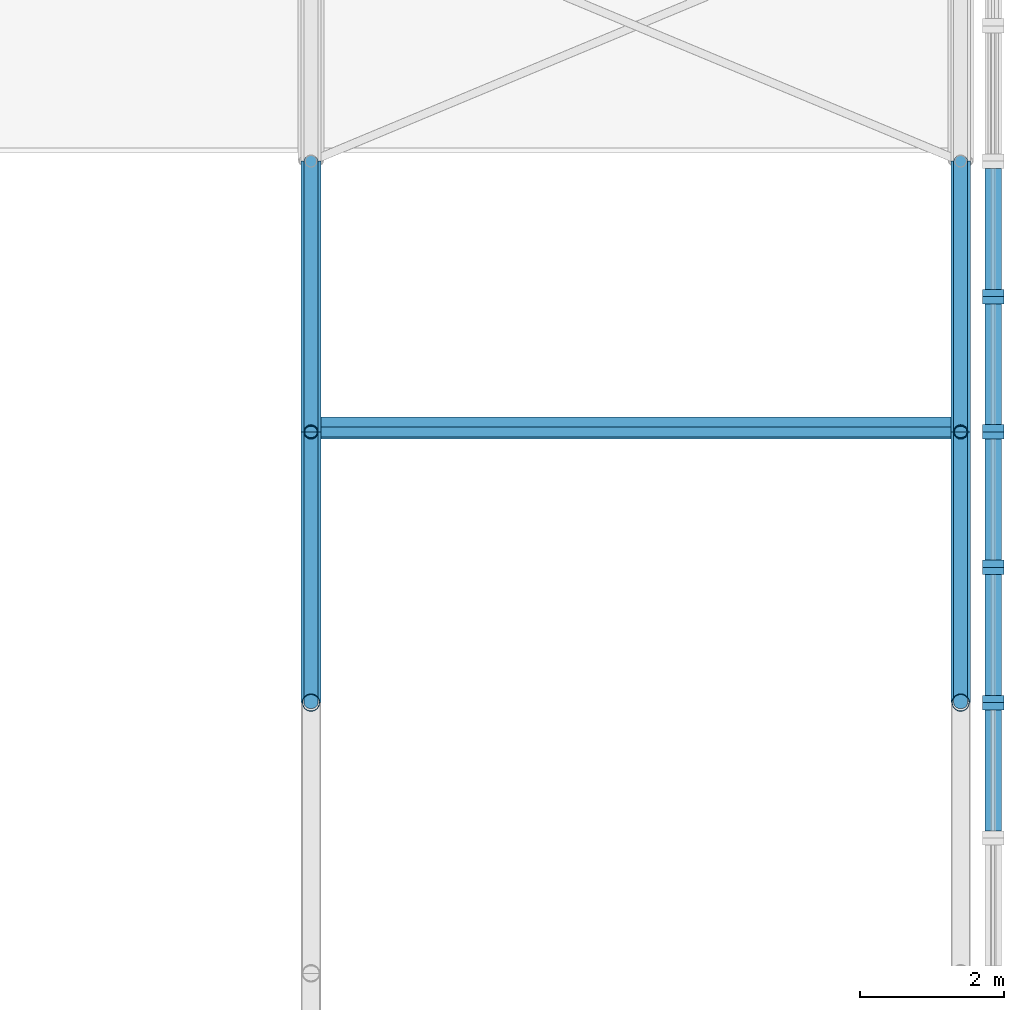
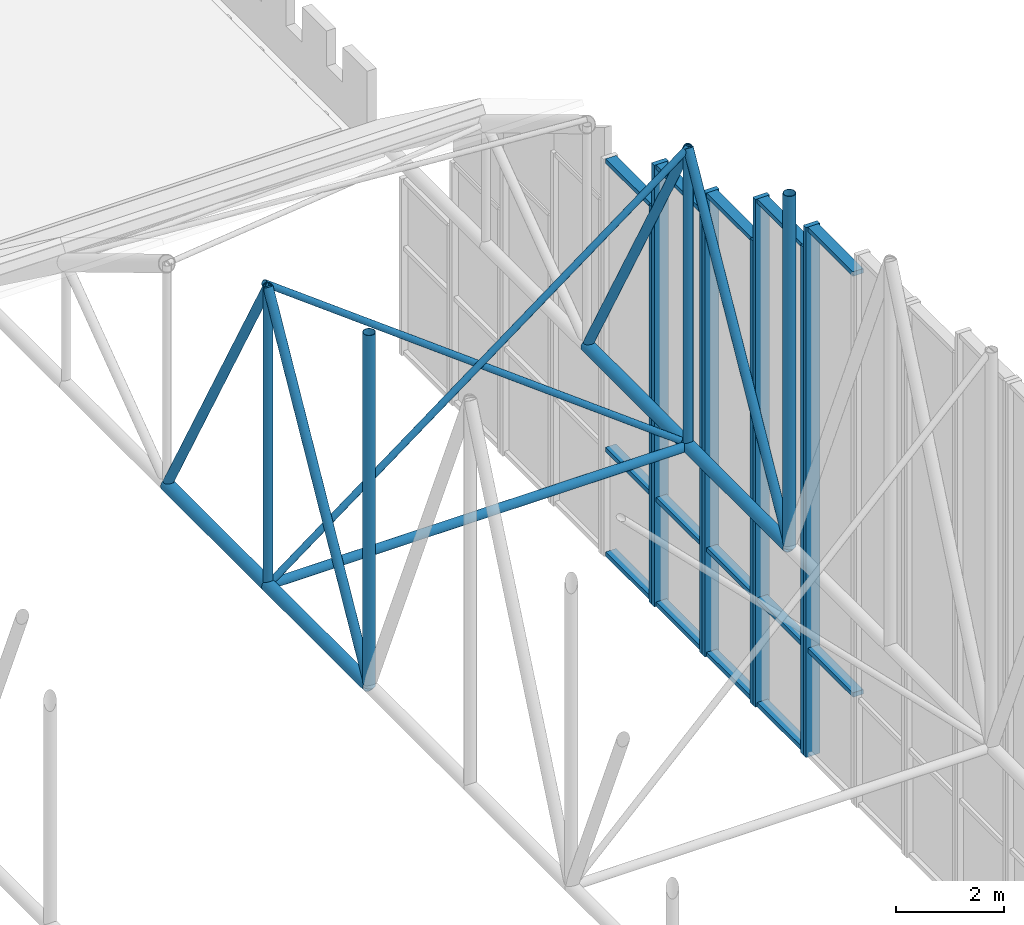
# One storey, part 65 of 153: 37 members, 5 elements without a shape of their own.
"""IFC4 building model written with IfcOpenShell, lengths in metres."""

from ifc_helpers import new_model, si_unit, direction, frame, origin, origin_2d, place, context, subcontext, project, spatial, rectangle, hollow_circle, extrude, material, material_profile, profile_set, type_object, element, aggregate, save


model = new_model("IFC4")

# Units and contexts
model_context = context("Model", 3, precision=1e-05, world=origin(), true_north=direction((0.0, 1.0)))
body_context = subcontext(model_context, "Body", "Model", "MODEL_VIEW")
ifc_project = project(units=[si_unit("LENGTHUNIT", "METRE"), si_unit("AREAUNIT", "SQUARE_METRE"), si_unit("VOLUMEUNIT", "CUBIC_METRE"), si_unit("PLANEANGLEUNIT", "RADIAN"), si_unit("MASSUNIT", "GRAM", prefix="KILO")], contexts=[model_context])

# Site, building, storey
site_placement = place(None, origin())
site = spatial("IfcSite", under=ifc_project, at=site_placement, CompositionType="ELEMENT")
building_placement = place(site_placement, origin())
building = spatial("IfcBuilding", under=site, at=building_placement, Name="Baradari Gate Terminus", CompositionType="ELEMENT")
storey_placement = place(building_placement, frame((0.0, 0.0, 11.699951171875)))
storey = spatial("IfcBuildingStorey", under=building, at=storey_placement, Name="L02", CompositionType="ELEMENT", Elevation=11.699951171875)

# Curtain wall, member
ifc_material_1 = material(Name="Aluminium 6063-T6", Category="aluminium")
curtain_wall_type_1 = type_object("IfcCurtainWallType", Name="Curtain wall CW-18 gable screen, other height", PredefinedType="NOTDEFINED", material=ifc_material_1)
curtain_wall_1_placement = place(storey_placement, origin())
curtain_wall_1 = element("IfcCurtainWall", 1, at=curtain_wall_1_placement, inside=storey, type_object=curtain_wall_type_1, Name="Gable glazing curtain wall CW-18 cell 10b", PredefinedType="NOTDEFINED")
ifc_material_2 = material(Name="Aluminium 6063-T6", Category="aluminium")
ifc_material_profile_1 = material_profile(ifc_material_2, rectangle(XDim=0.300048828125, YDim=0.10009765625, at=origin_2d()), Name="CM-18 100X300")
ifc_profile_set_1 = profile_set([ifc_material_profile_1], Name="Aluminium 6063-T6")
member_type_1 = type_object("IfcMemberType", Name="Curtain wall mullion CM-18 100x300", PredefinedType="MULLION", material=ifc_profile_set_1)
member_1_placement = place(storey_placement, frame((243.449951171875, 71.675048828125, -4.699951171875), z_axis=(0.0, 0.0, 1.0), x_axis=(-1.0, 0.0, 0.0)))
member_1 = element("IfcMember", 2, at=member_1_placement, type_object=member_type_1, Name="CW-18 mullion 1", PredefinedType="MULLION", context=body_context, shape_type="SweptSolid", body=[
    extrude(rectangle(XDim=0.300048828125, YDim=0.10009765625, at=origin_2d()), origin(), (0.0, 0.0, 1.0), 9.0),
])

# Curtain wall, members
ifc_material_3 = material(Name="Aluminium 6063-T6", Category="aluminium")
curtain_wall_type_2 = type_object("IfcCurtainWallType", Name="Curtain wall CW-19 gable screen, other height", PredefinedType="NOTDEFINED", material=ifc_material_3)
curtain_wall_2_placement = place(storey_placement, origin())
curtain_wall_2 = element("IfcCurtainWall", 3, at=curtain_wall_2_placement, inside=storey, type_object=curtain_wall_type_2, Name="Gable glazing curtain wall CW-19 cell 10a", PredefinedType="NOTDEFINED")
ifc_material_4 = material(Name="Aluminium 6063-T6", Category="aluminium")
ifc_material_profile_2 = material_profile(ifc_material_4, rectangle(XDim=0.300048828125, YDim=0.10009765625, at=origin_2d()), Name="CM-19 100X300")
ifc_profile_set_2 = profile_set([ifc_material_profile_2], Name="Aluminium 6063-T6")
member_type_2 = type_object("IfcMemberType", Name="Curtain wall mullion CM-19 100x300", PredefinedType="MULLION", material=ifc_profile_set_2)
member_2_placement = place(storey_placement, frame((243.449951171875, 69.800048828125, -4.699951171875), z_axis=(0.0, 0.0, 1.0), x_axis=(-1.0, 0.0, 0.0)))
member_2 = element("IfcMember", 4, at=member_2_placement, type_object=member_type_2, Name="CW-19 mullion 1", PredefinedType="MULLION", context=body_context, shape_type="SweptSolid", body=[
    extrude(rectangle(XDim=0.300048828125, YDim=0.10009765625, at=origin_2d()), origin(), (0.0, 0.0, 1.0), 10.0),
])
member_3_placement = place(storey_placement, frame((243.449951171875, 71.574951171875, -4.699951171875), z_axis=(0.0, 0.0, 1.0), x_axis=(-1.0, 0.0, 0.0)))
member_3 = element("IfcMember", 5, at=member_3_placement, type_object=member_type_2, Name="CW-19 mullion 2", PredefinedType="MULLION", context=body_context, shape_type="SweptSolid", body=[
    extrude(rectangle(XDim=0.300048828125, YDim=0.10009765625, at=origin_2d()), origin(), (0.0, 0.0, 1.0), 10.0),
])

ifc_material_5 = material(Name="Aluminium 6063-T6", Category="aluminium")
curtain_wall_type_3 = type_object("IfcCurtainWallType", Name="Curtain wall CW-20 gable screen, other height", PredefinedType="NOTDEFINED", material=ifc_material_5)
curtain_wall_3_placement = place(storey_placement, origin())
curtain_wall_3 = element("IfcCurtainWall", 6, at=curtain_wall_3_placement, inside=storey, type_object=curtain_wall_type_3, Name="Gable glazing curtain wall CW-20 cell 09b", PredefinedType="NOTDEFINED")
ifc_material_6 = material(Name="Aluminium 6063-T6", Category="aluminium")
ifc_material_profile_3 = material_profile(ifc_material_6, rectangle(XDim=0.300048828125, YDim=0.10009765625, at=origin_2d()), Name="CM-20 100X300")
ifc_profile_set_3 = profile_set([ifc_material_profile_3], Name="Aluminium 6063-T6")
member_type_3 = type_object("IfcMemberType", Name="Curtain wall mullion CM-20 100x300", PredefinedType="MULLION", material=ifc_profile_set_3)
member_4_placement = place(storey_placement, frame((243.449951171875, 67.925048828125, -4.699951171875), z_axis=(0.0, 0.0, 1.0), x_axis=(-1.0, 0.0, 0.0)))
member_4 = element("IfcMember", 7, at=member_4_placement, type_object=member_type_3, Name="CW-20 mullion 1", PredefinedType="MULLION", context=body_context, shape_type="SweptSolid", body=[
    extrude(rectangle(XDim=0.300048828125, YDim=0.10009765625, at=origin_2d()), origin(), (0.0, 0.0, 1.0), 10.5),
])
member_5_placement = place(storey_placement, frame((243.449951171875, 69.699951171875, -4.699951171875), z_axis=(0.0, 0.0, 1.0), x_axis=(-1.0, 0.0, 0.0)))
member_5 = element("IfcMember", 8, at=member_5_placement, type_object=member_type_3, Name="CW-20 mullion 2", PredefinedType="MULLION", context=body_context, shape_type="SweptSolid", body=[
    extrude(rectangle(XDim=0.300048828125, YDim=0.10009765625, at=origin_2d()), origin(), (0.0, 0.0, 1.0), 10.5),
])

ifc_material_7 = material(Name="Aluminium 6063-T6", Category="aluminium")
curtain_wall_type_4 = type_object("IfcCurtainWallType", Name="Curtain wall CW-21 gable screen, other height", PredefinedType="NOTDEFINED", material=ifc_material_7)
curtain_wall_4_placement = place(storey_placement, origin())
curtain_wall_4 = element("IfcCurtainWall", 9, at=curtain_wall_4_placement, inside=storey, type_object=curtain_wall_type_4, Name="Gable glazing curtain wall CW-21 cell 09a", PredefinedType="NOTDEFINED")
ifc_material_8 = material(Name="Aluminium 6063-T6", Category="aluminium")
ifc_material_profile_4 = material_profile(ifc_material_8, rectangle(XDim=0.300048828125, YDim=0.10009765625, at=origin_2d()), Name="CM-21 100X300")
ifc_profile_set_4 = profile_set([ifc_material_profile_4], Name="Aluminium 6063-T6")
member_type_4 = type_object("IfcMemberType", Name="Curtain wall mullion CM-21 100x300", PredefinedType="MULLION", material=ifc_profile_set_4)
member_6_placement = place(storey_placement, frame((243.449951171875, 66.050048828125, -4.699951171875), z_axis=(0.0, 0.0, 1.0), x_axis=(-1.0, 0.0, 0.0)))
member_6 = element("IfcMember", 10, at=member_6_placement, type_object=member_type_4, Name="CW-21 mullion 1", PredefinedType="MULLION", context=body_context, shape_type="SweptSolid", body=[
    extrude(rectangle(XDim=0.300048828125, YDim=0.10009765625, at=origin_2d()), origin(), (0.0, 0.0, 1.0), 11.5),
])
member_7_placement = place(storey_placement, frame((243.449951171875, 67.824951171875, -4.699951171875), z_axis=(0.0, 0.0, 1.0), x_axis=(-1.0, 0.0, 0.0)))
member_7 = element("IfcMember", 11, at=member_7_placement, type_object=member_type_4, Name="CW-21 mullion 2", PredefinedType="MULLION", context=body_context, shape_type="SweptSolid", body=[
    extrude(rectangle(XDim=0.300048828125, YDim=0.10009765625, at=origin_2d()), origin(), (0.0, 0.0, 1.0), 11.5),
])

# Curtain wall, member
ifc_material_9 = material(Name="Aluminium 6063-T6", Category="aluminium")
curtain_wall_type_5 = type_object("IfcCurtainWallType", Name="Curtain wall CW-22 gable screen, other height", PredefinedType="NOTDEFINED", material=ifc_material_9)
curtain_wall_5_placement = place(storey_placement, origin())
curtain_wall_5 = element("IfcCurtainWall", 12, at=curtain_wall_5_placement, inside=storey, type_object=curtain_wall_type_5, Name="Gable glazing curtain wall CW-22 cell 08b", PredefinedType="NOTDEFINED")
ifc_material_10 = material(Name="Aluminium 6063-T6", Category="aluminium")
ifc_material_profile_5 = material_profile(ifc_material_10, rectangle(XDim=0.300048828125, YDim=0.10009765625, at=origin_2d()), Name="CM-22 100X300")
ifc_profile_set_5 = profile_set([ifc_material_profile_5], Name="Aluminium 6063-T6")
member_type_5 = type_object("IfcMemberType", Name="Curtain wall mullion CM-22 100x300", PredefinedType="MULLION", material=ifc_profile_set_5)
member_8_placement = place(storey_placement, frame((243.449951171875, 65.949951171875, -4.699951171875), z_axis=(0.0, 0.0, 1.0), x_axis=(-1.0, 0.0, 0.0)))
member_8 = element("IfcMember", 13, at=member_8_placement, type_object=member_type_5, Name="CW-22 mullion 2", PredefinedType="MULLION", context=body_context, shape_type="SweptSolid", body=[
    extrude(rectangle(XDim=0.300048828125, YDim=0.10009765625, at=origin_2d()), origin(), (0.0, 0.0, 1.0), 12.0),
])

# Member
ifc_material_11 = material(Name="Aluminium 6063-T6", Category="aluminium")
ifc_material_profile_6 = material_profile(ifc_material_11, rectangle(XDim=0.22509765625, YDim=0.10009765625, at=origin_2d()), Name="CT-18 100X225")
ifc_profile_set_6 = profile_set([ifc_material_profile_6], Name="Aluminium 6063-T6")
member_type_6 = type_object("IfcMemberType", Name="Curtain wall transom CT-18 100x225", PredefinedType="USERDEFINED", material=ifc_profile_set_6)
member_9_placement = place(storey_placement, frame((243.449951171875, 71.72509765625, -4.64990234375), z_axis=(0.0, 1.0, 0.0), x_axis=(-1.0, 0.0, 0.0)))
member_9 = element("IfcMember", 14, at=member_9_placement, type_object=member_type_6, Name="CW-18 transom 1.1", ObjectType="TRANSOM", PredefinedType="USERDEFINED", context=body_context, shape_type="SweptSolid", body=[
    extrude(rectangle(XDim=0.22509765625, YDim=0.10009765625, at=origin_2d()), origin(), (0.0, 0.0, 1.0), 1.6748046875),
])

member_10_placement = place(storey_placement, frame((243.449951171875, 71.72509765625, -2.28173828125), z_axis=(0.0, 1.0, 0.0), x_axis=(-1.0, 0.0, 0.0)))
member_10 = element("IfcMember", 15, at=member_10_placement, type_object=member_type_6, Name="CW-18 transom 1.2", ObjectType="TRANSOM", PredefinedType="USERDEFINED", context=body_context, shape_type="SweptSolid", body=[
    extrude(rectangle(XDim=0.22509765625, YDim=0.10009765625, at=origin_2d()), origin(), (0.0, 0.0, 1.0), 1.6748046875),
])

member_11_placement = place(storey_placement, frame((243.449951171875, 71.72509765625, 4.25), z_axis=(0.0, 1.0, 0.0), x_axis=(-1.0, 0.0, 0.0)))
member_11 = element("IfcMember", 16, at=member_11_placement, type_object=member_type_6, Name="CW-18 transom 1.3", ObjectType="TRANSOM", PredefinedType="USERDEFINED", context=body_context, shape_type="SweptSolid", body=[
    extrude(rectangle(XDim=0.22509765625, YDim=0.10009765625, at=origin_2d()), origin(), (0.0, 0.0, 1.0), 1.6748046875),
])

aggregate(curtain_wall_1, [member_1, member_9, member_10, member_11])

ifc_material_12 = material(Name="Aluminium 6063-T6", Category="aluminium")
ifc_material_profile_7 = material_profile(ifc_material_12, rectangle(XDim=0.22509765625, YDim=0.10009765625, at=origin_2d()), Name="CT-19 100X225")
ifc_profile_set_7 = profile_set([ifc_material_profile_7], Name="Aluminium 6063-T6")
member_type_7 = type_object("IfcMemberType", Name="Curtain wall transom CT-19 100x225", PredefinedType="USERDEFINED", material=ifc_profile_set_7)
member_12_placement = place(storey_placement, frame((243.449951171875, 69.85009765625, -4.64990234375), z_axis=(0.0, 1.0, 0.0), x_axis=(-1.0, 0.0, 0.0)))
member_12 = element("IfcMember", 17, at=member_12_placement, type_object=member_type_7, Name="CW-19 transom 1.1", ObjectType="TRANSOM", PredefinedType="USERDEFINED", context=body_context, shape_type="SweptSolid", body=[
    extrude(rectangle(XDim=0.22509765625, YDim=0.10009765625, at=origin_2d()), origin(), (0.0, 0.0, 1.0), 1.6748046875),
])

member_13_placement = place(storey_placement, frame((243.449951171875, 69.85009765625, -2.28173828125), z_axis=(0.0, 1.0, 0.0), x_axis=(-1.0, 0.0, 0.0)))
member_13 = element("IfcMember", 18, at=member_13_placement, type_object=member_type_7, Name="CW-19 transom 1.2", ObjectType="TRANSOM", PredefinedType="USERDEFINED", context=body_context, shape_type="SweptSolid", body=[
    extrude(rectangle(XDim=0.22509765625, YDim=0.10009765625, at=origin_2d()), origin(), (0.0, 0.0, 1.0), 1.6748046875),
])

member_14_placement = place(storey_placement, frame((243.449951171875, 69.85009765625, 5.25), z_axis=(0.0, 1.0, 0.0), x_axis=(-1.0, 0.0, 0.0)))
member_14 = element("IfcMember", 19, at=member_14_placement, type_object=member_type_7, Name="CW-19 transom 1.3", ObjectType="TRANSOM", PredefinedType="USERDEFINED", context=body_context, shape_type="SweptSolid", body=[
    extrude(rectangle(XDim=0.22509765625, YDim=0.10009765625, at=origin_2d()), origin(), (0.0, 0.0, 1.0), 1.6748046875),
])

aggregate(curtain_wall_2, [member_2, member_3, member_12, member_13, member_14])

ifc_material_13 = material(Name="Aluminium 6063-T6", Category="aluminium")
ifc_material_profile_8 = material_profile(ifc_material_13, rectangle(XDim=0.22509765625, YDim=0.10009765625, at=origin_2d()), Name="CT-20 100X225")
ifc_profile_set_8 = profile_set([ifc_material_profile_8], Name="Aluminium 6063-T6")
member_type_8 = type_object("IfcMemberType", Name="Curtain wall transom CT-20 100x225", PredefinedType="USERDEFINED", material=ifc_profile_set_8)
member_15_placement = place(storey_placement, frame((243.449951171875, 67.97509765625, -4.64990234375), z_axis=(0.0, 1.0, 0.0), x_axis=(-1.0, 0.0, 0.0)))
member_15 = element("IfcMember", 20, at=member_15_placement, type_object=member_type_8, Name="CW-20 transom 1.1", ObjectType="TRANSOM", PredefinedType="USERDEFINED", context=body_context, shape_type="SweptSolid", body=[
    extrude(rectangle(XDim=0.22509765625, YDim=0.10009765625, at=origin_2d()), origin(), (0.0, 0.0, 1.0), 1.6748046875),
])

member_16_placement = place(storey_placement, frame((243.449951171875, 67.97509765625, -2.28173828125), z_axis=(0.0, 1.0, 0.0), x_axis=(-1.0, 0.0, 0.0)))
member_16 = element("IfcMember", 21, at=member_16_placement, type_object=member_type_8, Name="CW-20 transom 1.2", ObjectType="TRANSOM", PredefinedType="USERDEFINED", context=body_context, shape_type="SweptSolid", body=[
    extrude(rectangle(XDim=0.22509765625, YDim=0.10009765625, at=origin_2d()), origin(), (0.0, 0.0, 1.0), 1.6748046875),
])

member_17_placement = place(storey_placement, frame((243.449951171875, 67.97509765625, 5.75), z_axis=(0.0, 1.0, 0.0), x_axis=(-1.0, 0.0, 0.0)))
member_17 = element("IfcMember", 22, at=member_17_placement, type_object=member_type_8, Name="CW-20 transom 1.3", ObjectType="TRANSOM", PredefinedType="USERDEFINED", context=body_context, shape_type="SweptSolid", body=[
    extrude(rectangle(XDim=0.22509765625, YDim=0.10009765625, at=origin_2d()), origin(), (0.0, 0.0, 1.0), 1.6748046875),
])

aggregate(curtain_wall_3, [member_4, member_5, member_15, member_16, member_17])

ifc_material_14 = material(Name="Aluminium 6063-T6", Category="aluminium")
ifc_material_profile_9 = material_profile(ifc_material_14, rectangle(XDim=0.22509765625, YDim=0.10009765625, at=origin_2d()), Name="CT-21 100X225")
ifc_profile_set_9 = profile_set([ifc_material_profile_9], Name="Aluminium 6063-T6")
member_type_9 = type_object("IfcMemberType", Name="Curtain wall transom CT-21 100x225", PredefinedType="USERDEFINED", material=ifc_profile_set_9)
member_18_placement = place(storey_placement, frame((243.449951171875, 66.10009765625, -4.64990234375), z_axis=(0.0, 1.0, 0.0), x_axis=(-1.0, 0.0, 0.0)))
member_18 = element("IfcMember", 23, at=member_18_placement, type_object=member_type_9, Name="CW-21 transom 1.1", ObjectType="TRANSOM", PredefinedType="USERDEFINED", context=body_context, shape_type="SweptSolid", body=[
    extrude(rectangle(XDim=0.22509765625, YDim=0.10009765625, at=origin_2d()), origin(), (0.0, 0.0, 1.0), 1.6748046875),
])

member_19_placement = place(storey_placement, frame((243.449951171875, 66.10009765625, -2.28173828125), z_axis=(0.0, 1.0, 0.0), x_axis=(-1.0, 0.0, 0.0)))
member_19 = element("IfcMember", 24, at=member_19_placement, type_object=member_type_9, Name="CW-21 transom 1.2", ObjectType="TRANSOM", PredefinedType="USERDEFINED", context=body_context, shape_type="SweptSolid", body=[
    extrude(rectangle(XDim=0.22509765625, YDim=0.10009765625, at=origin_2d()), origin(), (0.0, 0.0, 1.0), 1.6748046875),
])

member_20_placement = place(storey_placement, frame((243.449951171875, 66.10009765625, 6.75), z_axis=(0.0, 1.0, 0.0), x_axis=(-1.0, 0.0, 0.0)))
member_20 = element("IfcMember", 25, at=member_20_placement, type_object=member_type_9, Name="CW-21 transom 1.3", ObjectType="TRANSOM", PredefinedType="USERDEFINED", context=body_context, shape_type="SweptSolid", body=[
    extrude(rectangle(XDim=0.22509765625, YDim=0.10009765625, at=origin_2d()), origin(), (0.0, 0.0, 1.0), 1.6748046875),
])

aggregate(curtain_wall_4, [member_6, member_7, member_18, member_19, member_20])

ifc_material_15 = material(Name="Aluminium 6063-T6", Category="aluminium")
ifc_material_profile_10 = material_profile(ifc_material_15, rectangle(XDim=0.22509765625, YDim=0.10009765625, at=origin_2d()), Name="CT-22 100X225")
ifc_profile_set_10 = profile_set([ifc_material_profile_10], Name="Aluminium 6063-T6")
member_type_10 = type_object("IfcMemberType", Name="Curtain wall transom CT-22 100x225", PredefinedType="USERDEFINED", material=ifc_profile_set_10)
member_21_placement = place(storey_placement, frame((243.449951171875, 64.22509765625, -2.28173828125), z_axis=(0.0, 1.0, 0.0), x_axis=(-1.0, 0.0, 0.0)))
member_21 = element("IfcMember", 26, at=member_21_placement, type_object=member_type_10, Name="CW-22 transom 1.2", ObjectType="TRANSOM", PredefinedType="USERDEFINED", context=body_context, shape_type="SweptSolid", body=[
    extrude(rectangle(XDim=0.22509765625, YDim=0.10009765625, at=origin_2d()), origin(), (0.0, 0.0, 1.0), 1.6748046875),
])

member_22_placement = place(storey_placement, frame((243.449951171875, 64.22509765625, 7.25), z_axis=(0.0, 1.0, 0.0), x_axis=(-1.0, 0.0, 0.0)))
member_22 = element("IfcMember", 27, at=member_22_placement, type_object=member_type_10, Name="CW-22 transom 1.3", ObjectType="TRANSOM", PredefinedType="USERDEFINED", context=body_context, shape_type="SweptSolid", body=[
    extrude(rectangle(XDim=0.22509765625, YDim=0.10009765625, at=origin_2d()), origin(), (0.0, 0.0, 1.0), 1.6748046875),
])

aggregate(curtain_wall_5, [member_8, member_21, member_22])

# Members
ifc_material_16 = material(Name="Steel S355", Category="steel")
ifc_material_profile_11 = material_profile(ifc_material_16, hollow_circle(Radius=0.136474609375, WallThickness=0.012451171875, at=origin_2d()), Name="CHS 273x12.5")
ifc_profile_set_11 = profile_set([ifc_material_profile_11], Name="Steel S355")
member_type_11 = type_object("IfcMemberType", Name="Shed bottom chord CHS 273x12.5", PredefinedType="CHORD", material=ifc_profile_set_11)
for number, where, z_axis, x_axis, name in (
    (28, (234.0, 66.0, 0.136474609375), (0.0, 1.0, 0.0), (-1.0, 0.0, 0.0), "TR/L02/S234-BC08"),
    (29, (234.0, 69.75, 0.136474609375), (0.0, 1.0, 0.0), (-1.0, 0.0, 0.0), "TR/L02/S234-BC09"),
    (30, (243.0, 66.0, 0.136474609375), (0.0, 1.0, 0.0), (-1.0, 0.0, 0.0), "TR/L02/S243-BC08"),
    (31, (243.0, 69.75, 0.136474609375), (0.0, 1.0, 0.0), (-1.0, 0.0, 0.0), "TR/L02/S243-BC09"),
):
    element("IfcMember", number, at=place(storey_placement, frame(where, z_axis=z_axis, x_axis=x_axis)), inside=storey, type_object=member_type_11, Name=name, PredefinedType="CHORD", context=body_context, shape_type="SweptSolid", body=[
        extrude(hollow_circle(Radius=0.136474609375, WallThickness=0.012451171875, at=origin_2d()), origin(), (0.0, 0.0, 1.0), 3.75),
    ])
ifc_material_17 = material(Name="Steel S355", Category="steel")
ifc_material_profile_12 = material_profile(ifc_material_17, hollow_circle(Radius=0.096923828125, WallThickness=0.008056640625, at=origin_2d()), Name="CHS 193.7x8")
ifc_profile_set_12 = profile_set([ifc_material_profile_12], Name="Steel S355")
member_type_12 = type_object("IfcMemberType", Name="Shed bottom strut CHS 193.7x8", PredefinedType="STRUT", material=ifc_profile_set_12)
member_23_placement = place(storey_placement, frame((234.0, 69.75, 0.136474609375), z_axis=(1.0, 0.0, 0.0), x_axis=(0.0, 1.0, 0.0)))
element("IfcMember", 32, at=member_23_placement, inside=storey, type_object=member_type_12, Name="TR/L02/B243-ST09", PredefinedType="STRUT", context=body_context, shape_type="SweptSolid", body=[
    extrude(hollow_circle(Radius=0.096923828125, WallThickness=0.008056640625, at=origin_2d()), origin(), (0.0, 0.0, 1.0), 9.0),
])
ifc_material_18 = material(Name="Steel S355", Category="steel")
ifc_material_profile_13 = material_profile(ifc_material_18, hollow_circle(Radius=0.096923828125, WallThickness=0.008056640625, at=origin_2d()), Name="CHS 193.7x8")
ifc_profile_set_13 = profile_set([ifc_material_profile_13], Name="Steel S355")
member_type_13 = type_object("IfcMemberType", Name="Shed truss diagonal CHS 193.7x8", PredefinedType="BRACE", material=ifc_profile_set_13)
for number, where, z_axis, x_axis, name in (
    (33, (234.0, 69.75, 6.886474609375), (0.0, -0.485642931179, -0.874157276122), (1.0, 0.0, 0.0), "TR/L02/S234-SD08"),
    (34, (234.0, 69.75, 6.886474609375), (0.0, 0.485642931179, -0.874157276122), (-1.0, 0.0, 0.0), "TR/L02/S234-SD09"),
    (35, (243.0, 69.75, 6.886474609375), (0.0, -0.485642931179, -0.874157276122), (1.0, 0.0, 0.0), "TR/L02/S243-SD08"),
    (36, (243.0, 69.75, 6.886474609375), (0.0, 0.485642931179, -0.874157276122), (-1.0, 0.0, 0.0), "TR/L02/S243-SD09"),
):
    element("IfcMember", number, at=place(storey_placement, frame(where, z_axis=z_axis, x_axis=x_axis)), inside=storey, type_object=member_type_13, Name=name, PredefinedType="BRACE", context=body_context, shape_type="SweptSolid", body=[
        extrude(hollow_circle(Radius=0.096923828125, WallThickness=0.008056640625, at=origin_2d()), origin(), (0.0, 0.0, 1.0), 7.7216796875),
    ])
ifc_material_19 = material(Name="Steel S355", Category="steel")
ifc_material_profile_14 = material_profile(ifc_material_19, hollow_circle(Radius=0.096923828125, WallThickness=0.008056640625, at=origin_2d()), Name="CHS 193.7x8")
ifc_profile_set_14 = profile_set([ifc_material_profile_14], Name="Steel S355")
member_type_14 = type_object("IfcMemberType", Name="Shed truss post CHS 193.7x8", PredefinedType="POST", material=ifc_profile_set_14)
for number, where, z_axis, x_axis, name in (
    (37, (234.0, 69.75, 0.136474609375), (0.0, 0.0, 1.0), (1.0, 0.0, 0.0), "TR/L02/S234-SP09"),
    (38, (243.0, 69.75, 0.136474609375), (0.0, 0.0, 1.0), (1.0, 0.0, 0.0), "TR/L02/S243-SP09"),
):
    element("IfcMember", number, at=place(storey_placement, frame(where, z_axis=z_axis, x_axis=x_axis)), inside=storey, type_object=member_type_14, Name=name, PredefinedType="POST", context=body_context, shape_type="SweptSolid", body=[
        extrude(hollow_circle(Radius=0.096923828125, WallThickness=0.008056640625, at=origin_2d()), origin(), (0.0, 0.0, 1.0), 6.75),
    ])
ifc_material_20 = material(Name="Steel S355", Category="steel")
ifc_material_profile_15 = material_profile(ifc_material_20, hollow_circle(Radius=0.122314453125, WallThickness=0.010009765625, at=origin_2d()), Name="CHS 244.5x10")
ifc_profile_set_15 = profile_set([ifc_material_profile_15], Name="Steel S355")
member_type_15 = type_object("IfcMemberType", Name="Shed truss post CHS 244.5x10", PredefinedType="POST", material=ifc_profile_set_15)
for number, where, z_axis, x_axis, name in (
    (39, (234.0, 66.0, 0.136474609375), (0.0, 0.0, 1.0), (1.0, 0.0, 0.0), "TR/L02/S234-SP08"),
    (40, (243.0, 66.0, 0.136474609375), (0.0, 0.0, 1.0), (1.0, 0.0, 0.0), "TR/L02/S243-SP08"),
):
    element("IfcMember", number, at=place(storey_placement, frame(where, z_axis=z_axis, x_axis=x_axis)), inside=storey, type_object=member_type_15, Name=name, PredefinedType="POST", context=body_context, shape_type="SweptSolid", body=[
        extrude(hollow_circle(Radius=0.122314453125, WallThickness=0.010009765625, at=origin_2d()), origin(), (0.0, 0.0, 1.0), 8.0),
    ])
ifc_material_21 = material(Name="Steel S355", Category="steel")
ifc_material_profile_16 = material_profile(ifc_material_21, hollow_circle(Radius=0.06982421875, WallThickness=0.008056640625, at=origin_2d()), Name="CHS 139.7x8")
ifc_profile_set_16 = profile_set([ifc_material_profile_16], Name="Steel S355")
member_type_16 = type_object("IfcMemberType", Name="Shed vertical brace CHS 139.7x8", PredefinedType="BRACE", material=ifc_profile_set_16)
for number, where, z_axis, x_axis, name in (
    (41, (234.0, 69.75, 0.136474609375), (0.8, 0.0, 0.6), (0.0, 1.0, 0.0), "TR/L02/B243-VB09A"),
    (42, (234.0, 69.8896484375, 6.886474609375), (0.8, 0.0, -0.6), (0.0, 1.0, 0.0), "TR/L02/B243-VB09B"),
):
    element("IfcMember", number, at=place(storey_placement, frame(where, z_axis=z_axis, x_axis=x_axis)), inside=storey, type_object=member_type_16, Name=name, PredefinedType="BRACE", context=body_context, shape_type="SweptSolid", body=[
        extrude(hollow_circle(Radius=0.06982421875, WallThickness=0.008056640625, at=origin_2d()), origin(), (0.0, 0.0, 1.0), 11.25),
    ])

save(model, "model.ifc")
